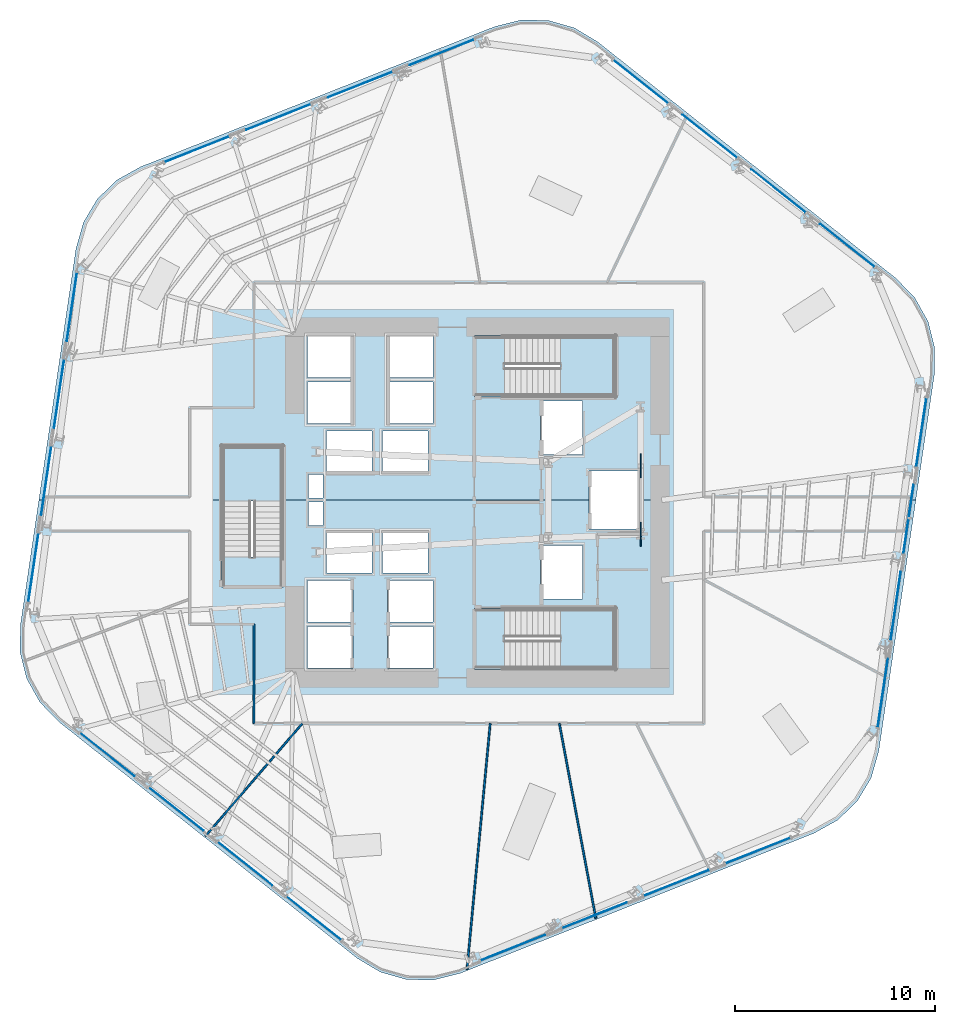
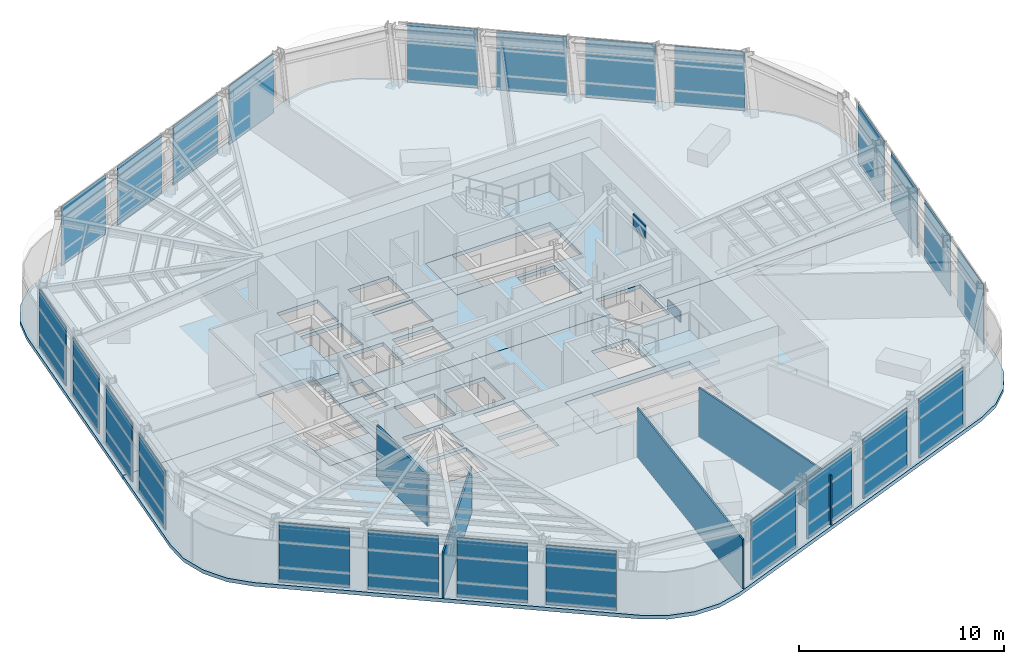
# One storey, part 7 of 17: 26 plates, 8 slabs, 4 walls, 9 elements without a shape of their own.
"""IFC4 building model written with IfcOpenShell, lengths in metres."""

from ifc_helpers import new_model, si_unit, direction, frame, frame_2d, origin, origin_2d, place, context, subcontext, project, spatial, polyline, rectangle, outline, extrude, material, layer, layer_set, type_object, element, aggregate, save


model = new_model("IFC4")

# Units and contexts
model_context = context("Model", 3, precision=1e-05, world=origin(), true_north=direction((0.0, 1.0)))
body_context = subcontext(model_context, "Body", "Model", "MODEL_VIEW")
ifc_project = project(units=[si_unit("LENGTHUNIT", "METRE"), si_unit("AREAUNIT", "SQUARE_METRE"), si_unit("VOLUMEUNIT", "CUBIC_METRE"), si_unit("PLANEANGLEUNIT", "RADIAN"), si_unit("MASSUNIT", "GRAM", prefix="KILO")], contexts=[model_context])

# Site, building, storey
site_placement = place(None, origin())
site = spatial("IfcSite", under=ifc_project, at=site_placement, CompositionType="ELEMENT")
building_placement = place(site_placement, origin())
building = spatial("IfcBuilding", under=site, at=building_placement, Name="Valkerne Bourse Tower", CompositionType="ELEMENT")
storey_placement = place(building_placement, frame((0.0, 0.0, 116.199951171875)))
storey = spatial("IfcBuildingStorey", under=building, at=storey_placement, Name="L29", CompositionType="ELEMENT", Elevation=116.199951171875)

# Curtain wall, plates
ifc_material_1 = material(Name="Aluminium AA 6063-T6", Category="aluminium")
ifc_layer_1 = layer(ifc_material_1, 0.22998046875)
ifc_layer_set_1 = layer_set([ifc_layer_1], Name="Aluminium AA 6063-T6")
curtain_wall_type = type_object("IfcCurtainWallType", Name="CW-02", PredefinedType="NOTDEFINED", material=ifc_layer_set_1)
curtain_wall_1_placement = place(storey_placement, origin())
curtain_wall_1 = element("IfcCurtainWall", 1, at=curtain_wall_1_placement, inside=storey, type_object=curtain_wall_type, Name="L29 Hexagonal Stick Curtain Wall Face 1", PredefinedType="NOTDEFINED")
ifc_material_2 = material(Name="Glass IGU Low-E Double Glazed", Category="glass")
ifc_layer_2 = layer(ifc_material_2, 0.031982421875)
ifc_layer_set_2 = layer_set([ifc_layer_2], Name="Glass IGU Low-E Double Glazed")
plate_type_1 = type_object("IfcPlateType", Name="CW-PNL-IGU-32", PredefinedType="CURTAIN_PANEL", material=ifc_layer_set_2)
plate_1_placement = place(storey_placement, frame((65.26220703125, 39.708984375, 0.030029296875), z_axis=(0.0, 0.0, 1.0), x_axis=(-0.783689924695, 0.621152237323, 0.0)))
plate_1 = element("IfcPlate", 2, at=plate_1_placement, type_object=plate_type_1, Name="CW-L29-F1 Curtain Panel 00", PredefinedType="CURTAIN_PANEL", context=body_context, shape_type="SweptSolid", body=[
    extrude(rectangle(XDim=3.462890625, YDim=0.031982421875, at=origin_2d()), origin(), (0.0, 0.0, 1.0), 3.52001953125),
])
plate_2_placement = place(storey_placement, frame((61.8271484375, 42.431396484375, 0.030029296875), z_axis=(0.0, 0.0, 1.0), x_axis=(-0.783689924695, 0.621152237323, 0.0)))
plate_2 = element("IfcPlate", 3, at=plate_2_placement, type_object=plate_type_1, Name="CW-L29-F1 Curtain Panel 01", PredefinedType="CURTAIN_PANEL", context=body_context, shape_type="SweptSolid", body=[
    extrude(rectangle(XDim=3.462890625, YDim=0.031982421875, at=origin_2d()), origin(), (0.0, 0.0, 1.0), 3.52001953125),
])
plate_3_placement = place(storey_placement, frame((58.392333984375, 45.154052734375, 0.030029296875), z_axis=(0.0, 0.0, 1.0), x_axis=(-0.783689924695, 0.621152237323, 0.0)))
plate_3 = element("IfcPlate", 4, at=plate_3_placement, type_object=plate_type_1, Name="CW-L29-F1 Curtain Panel 02", PredefinedType="CURTAIN_PANEL", context=body_context, shape_type="SweptSolid", body=[
    extrude(rectangle(XDim=3.462890625, YDim=0.031982421875, at=origin_2d()), origin(), (0.0, 0.0, 1.0), 3.52001953125),
])
plate_4_placement = place(storey_placement, frame((54.95751953125, 47.87646484375, 0.030029296875), z_axis=(0.0, 0.0, 1.0), x_axis=(-0.783698727371, 0.621141131078, 0.0)))
plate_4 = element("IfcPlate", 5, at=plate_4_placement, type_object=plate_type_1, Name="CW-L29-F1 Curtain Panel 03", PredefinedType="CURTAIN_PANEL", context=body_context, shape_type="SweptSolid", body=[
    extrude(rectangle(XDim=3.463134765625, YDim=0.031982421875, at=origin_2d()), origin(), (0.0, 0.0, 1.0), 3.52001953125),
])
aggregate(curtain_wall_1, [plate_1, plate_2, plate_3, plate_4])

curtain_wall_2_placement = place(storey_placement, origin())
curtain_wall_2 = element("IfcCurtainWall", 6, at=curtain_wall_2_placement, inside=storey, type_object=curtain_wall_type, Name="L29 Hexagonal Stick Curtain Wall Face 2", PredefinedType="NOTDEFINED")
plate_5_placement = place(storey_placement, frame((45.024658203125, 49.34326171875, 0.030029296875), z_axis=(0.0, 0.0, 1.0), x_axis=(-0.929783187694, -0.368107625404, 0.0)))
plate_5 = element("IfcPlate", 7, at=plate_5_placement, type_object=plate_type_1, Name="CW-L29-F2 Curtain Panel 00", PredefinedType="CURTAIN_PANEL", context=body_context, shape_type="SweptSolid", body=[
    extrude(rectangle(XDim=3.462890625, YDim=0.031982421875, at=origin_2d()), origin(), (0.0, 0.0, 1.0), 3.52001953125),
])
plate_6_placement = place(storey_placement, frame((40.949462890625, 47.729736328125, 0.030029296875), z_axis=(0.0, 0.0, 1.0), x_axis=(-0.929775378666, -0.368127349196, 0.0)))
plate_6 = element("IfcPlate", 8, at=plate_6_placement, type_object=plate_type_1, Name="CW-L29-F2 Curtain Panel 01", PredefinedType="CURTAIN_PANEL", context=body_context, shape_type="SweptSolid", body=[
    extrude(rectangle(XDim=3.462890625, YDim=0.031982421875, at=origin_2d()), origin(), (0.0, 0.0, 1.0), 3.52001953125),
])
plate_7_placement = place(storey_placement, frame((36.874267578125, 46.1162109375, 0.030029296875), z_axis=(0.0, 0.0, 1.0), x_axis=(-0.929775378666, -0.368127349196, 0.0)))
plate_7 = element("IfcPlate", 9, at=plate_7_placement, type_object=plate_type_1, Name="CW-L29-F2 Curtain Panel 02", PredefinedType="CURTAIN_PANEL", context=body_context, shape_type="SweptSolid", body=[
    extrude(rectangle(XDim=3.462890625, YDim=0.031982421875, at=origin_2d()), origin(), (0.0, 0.0, 1.0), 3.52001953125),
])
plate_8_placement = place(storey_placement, frame((32.799072265625, 44.502685546875, 0.030029296875), z_axis=(0.0, 0.0, 1.0), x_axis=(-0.929775378666, -0.368127349196, 0.0)))
plate_8 = element("IfcPlate", 10, at=plate_8_placement, type_object=plate_type_1, Name="CW-L29-F2 Curtain Panel 03", PredefinedType="CURTAIN_PANEL", context=body_context, shape_type="SweptSolid", body=[
    extrude(rectangle(XDim=3.462890625, YDim=0.031982421875, at=origin_2d()), origin(), (0.0, 0.0, 1.0), 3.52001953125),
])
aggregate(curtain_wall_2, [plate_5, plate_6, plate_7, plate_8])

curtain_wall_3_placement = place(storey_placement, origin())
curtain_wall_3 = element("IfcCurtainWall", 11, at=curtain_wall_3_placement, inside=storey, type_object=curtain_wall_type, Name="L29 Hexagonal Stick Curtain Wall Face 3", PredefinedType="NOTDEFINED")
plate_9_placement = place(storey_placement, frame((26.5625, 36.63427734375, 0.030029296875), z_axis=(0.0, 0.0, 1.0), x_axis=(-0.146086428352, -0.98927183092, 0.0)))
plate_9 = element("IfcPlate", 12, at=plate_9_placement, type_object=plate_type_1, Name="CW-L29-F3 Curtain Panel 00", PredefinedType="CURTAIN_PANEL", context=body_context, shape_type="SweptSolid", body=[
    extrude(rectangle(XDim=3.462890625, YDim=0.031982421875, at=origin_2d()), origin(), (0.0, 0.0, 1.0), 3.52001953125),
])
plate_10_placement = place(storey_placement, frame((25.92236328125, 32.298095703125, 0.030029296875), z_axis=(0.0, 0.0, 1.0), x_axis=(-0.146089725684, -0.989271343995, 0.0)))
plate_10 = element("IfcPlate", 13, at=plate_10_placement, type_object=plate_type_1, Name="CW-L29-F3 Curtain Panel 01", PredefinedType="CURTAIN_PANEL", context=body_context, shape_type="SweptSolid", body=[
    extrude(rectangle(XDim=3.462890625, YDim=0.031982421875, at=origin_2d()), origin(), (0.0, 0.0, 1.0), 3.52001953125),
])
plate_11_placement = place(storey_placement, frame((25.281982421875, 27.96240234375, 0.030029296875), z_axis=(0.0, 0.0, 1.0), x_axis=(-0.146086428352, -0.98927183092, 0.0)))
plate_11 = element("IfcPlate", 14, at=plate_11_placement, type_object=plate_type_1, Name="CW-L29-F3 Curtain Panel 02", PredefinedType="CURTAIN_PANEL", context=body_context, shape_type="SweptSolid", body=[
    extrude(rectangle(XDim=3.462890625, YDim=0.031982421875, at=origin_2d()), origin(), (0.0, 0.0, 1.0), 3.52001953125),
])
plate_12_placement = place(storey_placement, frame((24.6416015625, 23.626220703125, 0.030029296875), z_axis=(0.0, 0.0, 1.0), x_axis=(-0.146086428352, -0.98927183092, 0.0)))
plate_12 = element("IfcPlate", 15, at=plate_12_placement, type_object=plate_type_1, Name="CW-L29-F3 Curtain Panel 03", PredefinedType="CURTAIN_PANEL", context=body_context, shape_type="SweptSolid", body=[
    extrude(rectangle(XDim=3.462890625, YDim=0.031982421875, at=origin_2d()), origin(), (0.0, 0.0, 1.0), 3.52001953125),
])
aggregate(curtain_wall_3, [plate_9, plate_10, plate_11, plate_12])

curtain_wall_4_placement = place(storey_placement, origin())
curtain_wall_4 = element("IfcCurtainWall", 16, at=curtain_wall_4_placement, inside=storey, type_object=curtain_wall_type, Name="L29 Hexagonal Stick Curtain Wall Face 4", PredefinedType="NOTDEFINED")
plate_13_placement = place(storey_placement, frame((28.337890625, 14.291015625, 0.030029296875), z_axis=(0.0, 0.0, 1.0), x_axis=(0.783689924695, -0.621152237323, 0.0)))
plate_13 = element("IfcPlate", 17, at=plate_13_placement, type_object=plate_type_1, Name="CW-L29-F4 Curtain Panel 00", PredefinedType="CURTAIN_PANEL", context=body_context, shape_type="SweptSolid", body=[
    extrude(rectangle(XDim=3.462890625, YDim=0.031982421875, at=origin_2d()), origin(), (0.0, 0.0, 1.0), 3.52001953125),
])
plate_14_placement = place(storey_placement, frame((31.772705078125, 11.568603515625, 0.030029296875), z_axis=(0.0, 0.0, 1.0), x_axis=(0.783689924695, -0.621152237323, 0.0)))
plate_14 = element("IfcPlate", 18, at=plate_14_placement, type_object=plate_type_1, Name="CW-L29-F4 Curtain Panel 01", PredefinedType="CURTAIN_PANEL", context=body_context, shape_type="SweptSolid", body=[
    extrude(rectangle(XDim=3.462890625, YDim=0.031982421875, at=origin_2d()), origin(), (0.0, 0.0, 1.0), 3.52001953125),
])
plate_15_placement = place(storey_placement, frame((35.207763671875, 8.845947265625, 0.030029296875), z_axis=(0.0, 0.0, 1.0), x_axis=(0.783689924695, -0.621152237323, 0.0)))
plate_15 = element("IfcPlate", 19, at=plate_15_placement, type_object=plate_type_1, Name="CW-L29-F4 Curtain Panel 02", PredefinedType="CURTAIN_PANEL", context=body_context, shape_type="SweptSolid", body=[
    extrude(rectangle(XDim=3.462890625, YDim=0.031982421875, at=origin_2d()), origin(), (0.0, 0.0, 1.0), 3.52001953125),
])
plate_16_placement = place(storey_placement, frame((38.642578125, 6.12353515625, 0.030029296875), z_axis=(0.0, 0.0, 1.0), x_axis=(0.783698727371, -0.621141131078, 0.0)))
plate_16 = element("IfcPlate", 20, at=plate_16_placement, type_object=plate_type_1, Name="CW-L29-F4 Curtain Panel 03", PredefinedType="CURTAIN_PANEL", context=body_context, shape_type="SweptSolid", body=[
    extrude(rectangle(XDim=3.463134765625, YDim=0.031982421875, at=origin_2d()), origin(), (0.0, 0.0, 1.0), 3.52001953125),
])
aggregate(curtain_wall_4, [plate_13, plate_14, plate_15, plate_16])

curtain_wall_5_placement = place(storey_placement, origin())
curtain_wall_5 = element("IfcCurtainWall", 21, at=curtain_wall_5_placement, inside=storey, type_object=curtain_wall_type, Name="L29 Hexagonal Stick Curtain Wall Face 5", PredefinedType="NOTDEFINED")
plate_17_placement = place(storey_placement, frame((48.5751953125, 4.65673828125, 0.030029296875), z_axis=(0.0, 0.0, 1.0), x_axis=(0.929783187694, 0.368107625404, 0.0)))
plate_17 = element("IfcPlate", 22, at=plate_17_placement, type_object=plate_type_1, Name="CW-L29-F5 Curtain Panel 00", PredefinedType="CURTAIN_PANEL", context=body_context, shape_type="SweptSolid", body=[
    extrude(rectangle(XDim=3.462890625, YDim=0.031982421875, at=origin_2d()), origin(), (0.0, 0.0, 1.0), 3.52001953125),
])
plate_18_placement = place(storey_placement, frame((52.650390625, 6.270263671875, 0.030029296875), z_axis=(0.0, 0.0, 1.0), x_axis=(0.929775378666, 0.368127349196, 0.0)))
plate_18 = element("IfcPlate", 23, at=plate_18_placement, type_object=plate_type_1, Name="CW-L29-F5 Curtain Panel 01", PredefinedType="CURTAIN_PANEL", context=body_context, shape_type="SweptSolid", body=[
    extrude(rectangle(XDim=3.462890625, YDim=0.031982421875, at=origin_2d()), origin(), (0.0, 0.0, 1.0), 3.52001953125),
])
plate_19_placement = place(storey_placement, frame((56.7255859375, 7.8837890625, 0.030029296875), z_axis=(0.0, 0.0, 1.0), x_axis=(0.929775378666, 0.368127349196, 0.0)))
plate_19 = element("IfcPlate", 24, at=plate_19_placement, type_object=plate_type_1, Name="CW-L29-F5 Curtain Panel 02", PredefinedType="CURTAIN_PANEL", context=body_context, shape_type="SweptSolid", body=[
    extrude(rectangle(XDim=3.462890625, YDim=0.031982421875, at=origin_2d()), origin(), (0.0, 0.0, 1.0), 3.52001953125),
])
plate_20_placement = place(storey_placement, frame((60.80078125, 9.497314453125, 0.030029296875), z_axis=(0.0, 0.0, 1.0), x_axis=(0.929775378666, 0.368127349196, 0.0)))
plate_20 = element("IfcPlate", 25, at=plate_20_placement, type_object=plate_type_1, Name="CW-L29-F5 Curtain Panel 03", PredefinedType="CURTAIN_PANEL", context=body_context, shape_type="SweptSolid", body=[
    extrude(rectangle(XDim=3.462890625, YDim=0.031982421875, at=origin_2d()), origin(), (0.0, 0.0, 1.0), 3.52001953125),
])
aggregate(curtain_wall_5, [plate_17, plate_18, plate_19, plate_20])

curtain_wall_6_placement = place(storey_placement, origin())
curtain_wall_6 = element("IfcCurtainWall", 26, at=curtain_wall_6_placement, inside=storey, type_object=curtain_wall_type, Name="L29 Hexagonal Stick Curtain Wall Face 6", PredefinedType="NOTDEFINED")
plate_21_placement = place(storey_placement, frame((67.037353515625, 17.36572265625, 0.030029296875), z_axis=(0.0, 0.0, 1.0), x_axis=(0.146086428352, 0.98927183092, 0.0)))
plate_21 = element("IfcPlate", 27, at=plate_21_placement, type_object=plate_type_1, Name="CW-L29-F6 Curtain Panel 00", PredefinedType="CURTAIN_PANEL", context=body_context, shape_type="SweptSolid", body=[
    extrude(rectangle(XDim=3.462890625, YDim=0.031982421875, at=origin_2d()), origin(), (0.0, 0.0, 1.0), 3.52001953125),
])
plate_22_placement = place(storey_placement, frame((67.677734375, 21.701904296875, 0.030029296875), z_axis=(0.0, 0.0, 1.0), x_axis=(0.146089725684, 0.989271343995, 0.0)))
plate_22 = element("IfcPlate", 28, at=plate_22_placement, type_object=plate_type_1, Name="CW-L29-F6 Curtain Panel 01", PredefinedType="CURTAIN_PANEL", context=body_context, shape_type="SweptSolid", body=[
    extrude(rectangle(XDim=3.462890625, YDim=0.031982421875, at=origin_2d()), origin(), (0.0, 0.0, 1.0), 3.52001953125),
])
plate_23_placement = place(storey_placement, frame((68.318115234375, 26.03759765625, 0.030029296875), z_axis=(0.0, 0.0, 1.0), x_axis=(0.146086428352, 0.98927183092, 0.0)))
plate_23 = element("IfcPlate", 29, at=plate_23_placement, type_object=plate_type_1, Name="CW-L29-F6 Curtain Panel 02", PredefinedType="CURTAIN_PANEL", context=body_context, shape_type="SweptSolid", body=[
    extrude(rectangle(XDim=3.462890625, YDim=0.031982421875, at=origin_2d()), origin(), (0.0, 0.0, 1.0), 3.52001953125),
])
plate_24_placement = place(storey_placement, frame((68.958251953125, 30.373779296875, 0.030029296875), z_axis=(0.0, 0.0, 1.0), x_axis=(0.146086428352, 0.98927183092, 0.0)))
plate_24 = element("IfcPlate", 30, at=plate_24_placement, type_object=plate_type_1, Name="CW-L29-F6 Curtain Panel 03", PredefinedType="CURTAIN_PANEL", context=body_context, shape_type="SweptSolid", body=[
    extrude(rectangle(XDim=3.462890625, YDim=0.031982421875, at=origin_2d()), origin(), (0.0, 0.0, 1.0), 3.52001953125),
])
aggregate(curtain_wall_6, [plate_21, plate_22, plate_23, plate_24])

# Plates
ifc_material_3 = material(Name="Steel ASTM A572 Grade 50", Category="steel")
ifc_layer_3 = layer(ifc_material_3, 0.06005859375)
ifc_layer_set_3 = layer_set([ifc_layer_3], Name="Steel ASTM A572 Grade 50")
plate_type_2 = type_object("IfcPlateType", Name="PLT-GUS-60", PredefinedType="SHEET", material=ifc_layer_set_3)
for number, where, z_axis, x_axis, name in (
    (31, (54.949951171875, 25.300048828125, -0.18017578125), (0.0, 0.0, 1.0), (0.0, 1.0, 0.0), "L29 Brace Node Gusset Plate PLT-GUS-END-L29-374"),
    (32, (54.949951171875, 28.699951171875, 2.8740234375), (0.0, 0.0, 1.0), (0.0, 1.0, 0.0), "L29 Brace Node Gusset Plate PLT-GUS-END-L29-375"),
):
    element("IfcPlate", number, at=place(storey_placement, frame(where, z_axis=z_axis, x_axis=x_axis)), inside=storey, type_object=plate_type_2, Name=name, PredefinedType="SHEET", context=body_context, shape_type="SweptSolid", body=[
        extrude(rectangle(XDim=1.199951171875, YDim=0.06005859375, at=origin_2d()), origin(), (0.0, 0.0, 1.0), 0.800048828125),
    ])

# Slabs
ifc_material_4 = material(Name="Concrete C40/50", Category="concrete")
ifc_layer_4 = layer(ifc_material_4, 0.25)
ifc_layer_set_4 = layer_set([ifc_layer_4], Name="Concrete C40/50")
slab_type_1 = type_object("IfcSlabType", Name="SLB-RMP-LND-250", PredefinedType="LANDING", material=ifc_layer_set_4)
slab_1_placement = place(storey_placement, frame((0.0, 0.0, -0.219970703125)))
element("IfcSlab", 33, at=slab_1_placement, inside=storey, type_object=slab_type_1, Name="L29 ST-1 Floor Landing Slab", PredefinedType="LANDING", context=body_context, shape_type="SweptSolid", body=[
    extrude(outline(polyline([(46.669921875, 18.5400390625), (48.14990234375, 18.5400390625), (48.14990234375, 21.610107421875), (46.669921875, 21.610107421875), (46.669921875, 18.5400390625)])), origin(), (0.0, 0.0, 1.0), 0.219970703125),
])
slab_2_placement = place(storey_placement, frame((0.0, 0.0, -0.219970703125)))
element("IfcSlab", 34, at=slab_2_placement, inside=storey, type_object=slab_type_1, Name="L29 ST-2 Floor Landing Slab", PredefinedType="LANDING", context=body_context, shape_type="SweptSolid", body=[
    extrude(outline(polyline([(46.669921875, 32.139892578125), (48.14990234375, 32.139892578125), (48.14990234375, 35.2099609375), (46.669921875, 35.2099609375), (46.669921875, 32.139892578125)])), origin(), (0.0, 0.0, 1.0), 0.219970703125),
])
slab_3_placement = place(storey_placement, frame((0.0, 0.0, -0.219970703125)))
element("IfcSlab", 35, at=slab_3_placement, inside=storey, type_object=slab_type_1, Name="L29 ST-3 Floor Landing Slab", PredefinedType="LANDING", context=body_context, shape_type="SweptSolid", body=[
    extrude(outline(polyline([(37.110107421875, 22.669921875), (37.110107421875, 24.14990234375), (34.0400390625, 24.14990234375), (34.0400390625, 22.669921875), (37.110107421875, 22.669921875)])), origin(), (0.0, 0.0, 1.0), 0.219970703125),
])

# Stair, slab
stair_type = type_object("IfcStairType", Name="ST-CORE-1400", PredefinedType="HALF_TURN_STAIR", material=ifc_material_4)
stair_1_placement = place(storey_placement, origin())
stair_1 = element("IfcStair", 36, at=stair_1_placement, inside=storey, type_object=stair_type, Name="L29 ST-1", PredefinedType="HALF_TURN_STAIR")
ifc_layer_5 = layer(ifc_material_4, 0.179931640625)
ifc_layer_set_5 = layer_set([ifc_layer_5], Name="Concrete C40/50")
slab_type_2 = type_object("IfcSlabType", Name="SLB-ST-LND-180", PredefinedType="LANDING", material=ifc_layer_set_5)
slab_4_placement = place(storey_placement, frame((0.0, 0.0, 1.699951171875)))
slab_4 = element("IfcSlab", 37, at=slab_4_placement, type_object=slab_type_2, Name="ST-1 landing 1", PredefinedType="LANDING", context=body_context, shape_type="SweptSolid", body=[
    extrude(outline(polyline([(50.949951171875, 18.60009765625), (53.64990234375, 18.60009765625), (53.64990234375, 21.550048828125), (50.949951171875, 21.550048828125), (50.949951171875, 18.60009765625)])), origin(), (0.0, 0.0, 1.0), 0.2001953125),
])
aggregate(stair_1, [slab_4])

stair_2_placement = place(storey_placement, origin())
stair_2 = element("IfcStair", 38, at=stair_2_placement, inside=storey, type_object=stair_type, Name="L29 ST-2", PredefinedType="HALF_TURN_STAIR")
slab_5_placement = place(storey_placement, frame((0.0, 0.0, 1.699951171875)))
slab_5 = element("IfcSlab", 39, at=slab_5_placement, type_object=slab_type_2, Name="ST-2 landing 1", PredefinedType="LANDING", context=body_context, shape_type="SweptSolid", body=[
    extrude(outline(polyline([(50.949951171875, 32.199951171875), (53.64990234375, 32.199951171875), (53.64990234375, 35.14990234375), (50.949951171875, 35.14990234375), (50.949951171875, 32.199951171875)])), origin(), (0.0, 0.0, 1.0), 0.2001953125),
])
aggregate(stair_2, [slab_5])

stair_3_placement = place(storey_placement, origin())
stair_3 = element("IfcStair", 40, at=stair_3_placement, inside=storey, type_object=stair_type, Name="L29 ST-3", PredefinedType="HALF_TURN_STAIR")
slab_6_placement = place(storey_placement, frame((0.0, 0.0, 1.699951171875)))
slab_6 = element("IfcSlab", 41, at=slab_6_placement, type_object=slab_type_2, Name="ST-3 landing 1", PredefinedType="LANDING", context=body_context, shape_type="SweptSolid", body=[
    extrude(outline(polyline([(37.050048828125, 26.949951171875), (37.050048828125, 29.64990234375), (34.10009765625, 29.64990234375), (34.10009765625, 26.949951171875), (37.050048828125, 26.949951171875)])), origin(), (0.0, 0.0, 1.0), 0.2001953125),
])
aggregate(stair_3, [slab_6])

# Slabs
ifc_layer_6 = layer(ifc_material_4, 0.219970703125)
ifc_layer_set_6 = layer_set([ifc_layer_6], Name="Concrete C40/50")
slab_type_3 = type_object("IfcSlabType", Name="SLB-TOW-220", PredefinedType="FLOOR", material=ifc_layer_set_6)
slab_7_placement = place(storey_placement, frame((0.0, 0.0, -0.219970703125)))
element("IfcSlab", 42, at=slab_7_placement, inside=storey, type_object=slab_type_3, Name="L29 Hexagonal Composite Floor Slab S", PredefinedType="FLOOR", context=body_context, shape_type="SweptSolid", body=[
    extrude(outline(polyline([(66.458984375, 13.1357421875), (65.761962890625, 11.970947265625), (64.787109375, 11.0263671875), (63.600830078125, 10.3662109375), (45.939208984375, 3.373291015625), (44.622802734375, 3.042724609375), (43.265380859375, 3.06396484375), (41.9599609375, 3.435791015625), (40.795166015625, 4.133056640625), (25.908447265625, 15.93212890625), (24.963623046875, 16.906982421875), (24.303466796875, 18.093017578125), (23.972900390625, 19.40966796875), (23.994140625, 20.766845703125), (24.91455078125, 27.0), (34.034912109375, 27.0), (34.034912109375, 22.6650390625), (37.114990234375, 22.6650390625), (37.114990234375, 27.0), (52.360107421875, 27.0), (52.360107421875, 25.56005859375), (54.840087890625, 25.56005859375), (54.840087890625, 27.0), (68.685302734375, 27.0), (66.830810546875, 14.44140625), (66.458984375, 13.1357421875)]), holes=[polyline([(40.590087890625, 20.68994140625), (38.31005859375, 20.68994140625), (38.31005859375, 18.610107421875), (40.590087890625, 18.610107421875), (40.590087890625, 20.68994140625)]), polyline([(40.590087890625, 22.989990234375), (38.31005859375, 22.989990234375), (38.31005859375, 20.909912109375), (40.590087890625, 20.909912109375), (40.590087890625, 22.989990234375)]), polyline([(41.5400390625, 25.43994140625), (39.260009765625, 25.43994140625), (39.260009765625, 23.360107421875), (41.5400390625, 23.360107421875), (41.5400390625, 25.43994140625)]), polyline([(39.10009765625, 25.72998046875), (39.10009765625, 26.89990234375), (38.3798828125, 26.89990234375), (38.3798828125, 25.72998046875), (39.10009765625, 25.72998046875)]), polyline([(44.590087890625, 20.68994140625), (42.31005859375, 20.68994140625), (42.31005859375, 18.610107421875), (44.590087890625, 18.610107421875), (44.590087890625, 20.68994140625)]), polyline([(53.675048828125, 21.614990234375), (46.6650390625, 21.614990234375), (46.6650390625, 18.534912109375), (53.675048828125, 18.534912109375), (53.675048828125, 21.614990234375)]), polyline([(44.590087890625, 22.989990234375), (42.31005859375, 22.989990234375), (42.31005859375, 20.909912109375), (44.590087890625, 20.909912109375), (44.590087890625, 22.989990234375)]), polyline([(52.0400390625, 22.06005859375), (52.0400390625, 24.739990234375), (49.9599609375, 24.739990234375), (49.9599609375, 22.06005859375), (52.0400390625, 22.06005859375)]), polyline([(44.340087890625, 23.360107421875), (44.340087890625, 25.43994140625), (42.06005859375, 25.43994140625), (42.06005859375, 23.360107421875), (44.340087890625, 23.360107421875)])]), origin(), (0.0, 0.0, 1.0), 0.219970703125),
])
slab_8_placement = place(storey_placement, frame((0.0, 0.0, -0.219970703125)))
element("IfcSlab", 43, at=slab_8_placement, inside=storey, type_object=slab_type_3, Name="L29 Hexagonal Composite Floor Slab N", PredefinedType="FLOOR", context=body_context, shape_type="SweptSolid", body=[
    extrude(outline(polyline([(26.76904296875, 39.55859375), (27.14111328125, 40.8642578125), (27.838134765625, 42.029052734375), (28.81298828125, 42.9736328125), (29.9990234375, 43.6337890625), (47.66064453125, 50.626708984375), (48.977294921875, 50.957275390625), (50.334716796875, 50.93603515625), (51.64013671875, 50.564208984375), (52.804931640625, 49.866943359375), (67.691650390625, 38.06787109375), (68.63623046875, 37.093017578125), (69.29638671875, 35.906982421875), (69.627197265625, 34.59033203125), (69.605712890625, 33.233154296875), (68.685302734375, 27.0), (54.840087890625, 27.0), (54.840087890625, 28.43994140625), (52.360107421875, 28.43994140625), (52.360107421875, 27.0), (37.114990234375, 27.0), (37.114990234375, 29.675048828125), (34.034912109375, 29.675048828125), (34.034912109375, 27.0), (24.91455078125, 27.0), (26.76904296875, 39.55859375)]), holes=[polyline([(39.10009765625, 28.27001953125), (38.3798828125, 28.27001953125), (38.3798828125, 27.10009765625), (39.10009765625, 27.10009765625), (39.10009765625, 28.27001953125)]), polyline([(41.5400390625, 30.43994140625), (39.260009765625, 30.43994140625), (39.260009765625, 28.360107421875), (41.5400390625, 28.360107421875), (41.5400390625, 30.43994140625)]), polyline([(44.340087890625, 30.43994140625), (42.06005859375, 30.43994140625), (42.06005859375, 28.360107421875), (44.340087890625, 28.360107421875), (44.340087890625, 30.43994140625)]), polyline([(40.590087890625, 30.81005859375), (40.590087890625, 32.889892578125), (38.31005859375, 32.889892578125), (38.31005859375, 30.81005859375), (40.590087890625, 30.81005859375)]), polyline([(40.590087890625, 33.110107421875), (40.590087890625, 35.18994140625), (38.31005859375, 35.18994140625), (38.31005859375, 33.110107421875), (40.590087890625, 33.110107421875)]), polyline([(52.0400390625, 31.93994140625), (49.9599609375, 31.93994140625), (49.9599609375, 29.260009765625), (52.0400390625, 29.260009765625), (52.0400390625, 31.93994140625)]), polyline([(44.590087890625, 32.889892578125), (42.31005859375, 32.889892578125), (42.31005859375, 30.81005859375), (44.590087890625, 30.81005859375), (44.590087890625, 32.889892578125)]), polyline([(53.675048828125, 32.135009765625), (53.675048828125, 35.215087890625), (46.6650390625, 35.215087890625), (46.6650390625, 32.135009765625), (53.675048828125, 32.135009765625)]), polyline([(44.590087890625, 33.110107421875), (44.590087890625, 35.18994140625), (42.31005859375, 35.18994140625), (42.31005859375, 33.110107421875), (44.590087890625, 33.110107421875)])]), origin(), (0.0, 0.0, 1.0), 0.219970703125),
])

# Walls
ifc_material_5 = material(Name="Gypsum Board Steel-Stud Partition", Category="steel")
ifc_layer_7 = layer(ifc_material_5, 0.117919921875)
ifc_layer_set_7 = layer_set([ifc_layer_7], Name="Gypsum Board Steel-Stud Partition")
wall_type_1 = type_object("IfcWallType", Name="W-CORR-140", PredefinedType="PARTITIONING", material=ifc_layer_set_7)
wall_1_placement = place(storey_placement, frame((35.64990234375, 15.85009765625, 0.0), z_axis=(0.0, 0.0, 1.0), x_axis=(0.0, 1.0, 0.0)))
element("IfcWall", 44, at=wall_1_placement, inside=storey, type_object=wall_type_1, Name="L29 Corridor Enclosure Wall", PredefinedType="PARTITIONING", context=body_context, shape_type="SweptSolid", body=[
    extrude(rectangle(XDim=4.949951171875, YDim=0.117919921875, at=frame_2d((2.47509765625, 0.0))), origin(), (0.0, 0.0, 1.0), 3.021484375),
])
ifc_layer_8 = layer(ifc_material_5, 0.092041015625)
ifc_layer_set_8 = layer_set([ifc_layer_8], Name="Gypsum Board Steel-Stud Partition")
wall_type_2 = type_object("IfcWallType", Name="W-PART-115", PredefinedType="PARTITIONING", material=ifc_layer_set_8)
wall_2_placement = place(storey_placement, frame((47.441650390625, 15.844970703125, 0.0), z_axis=(0.0, 0.0, 1.0), x_axis=(-0.094108340313, -0.995561962051, 0.0)))
element("IfcWall", 45, at=wall_2_placement, inside=storey, type_object=wall_type_2, Name="L29 Suite Partition P01", PredefinedType="PARTITIONING", context=body_context, shape_type="SweptSolid", body=[
    extrude(rectangle(XDim=12.31494140625, YDim=0.092041015625, at=frame_2d((6.157470703125, 0.0))), origin(), (0.0, 0.0, 1.0), 2.92236328125),
])
wall_3_placement = place(storey_placement, frame((50.8935546875, 15.844970703125, 0.0), z_axis=(0.0, 0.0, 1.0), x_axis=(0.1839499776, -0.982935606101, 0.0)))
element("IfcWall", 46, at=wall_3_placement, inside=storey, type_object=wall_type_2, Name="L29 Suite Partition P02", PredefinedType="PARTITIONING", context=body_context, shape_type="SweptSolid", body=[
    extrude(rectangle(XDim=9.8837890625, YDim=0.092041015625, at=frame_2d((4.94189453125, 0.0))), origin(), (0.0, 0.0, 1.0), 2.92236328125),
])
wall_4_placement = place(storey_placement, frame((38.06494140625, 15.844970703125, 0.0), z_axis=(0.0, 0.0, 1.0), x_axis=(-0.651904563356, -0.758301022204, 0.0)))
element("IfcWall", 47, at=wall_4_placement, inside=storey, type_object=wall_type_2, Name="L29 Suite Partition P09", PredefinedType="PARTITIONING", context=body_context, shape_type="SweptSolid", body=[
    extrude(rectangle(XDim=7.41845703125, YDim=0.092041015625, at=frame_2d((3.709228515625, 0.0))), origin(), (0.0, 0.0, 1.0), 2.711669921875),
])

save(model, "model.ifc")
